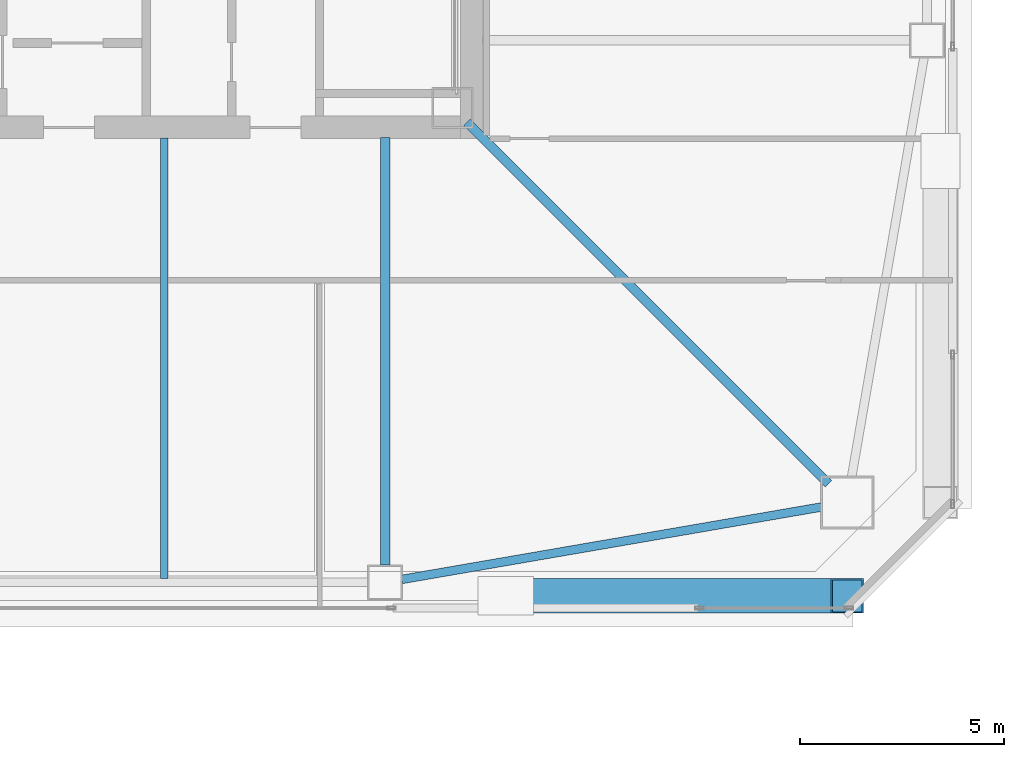
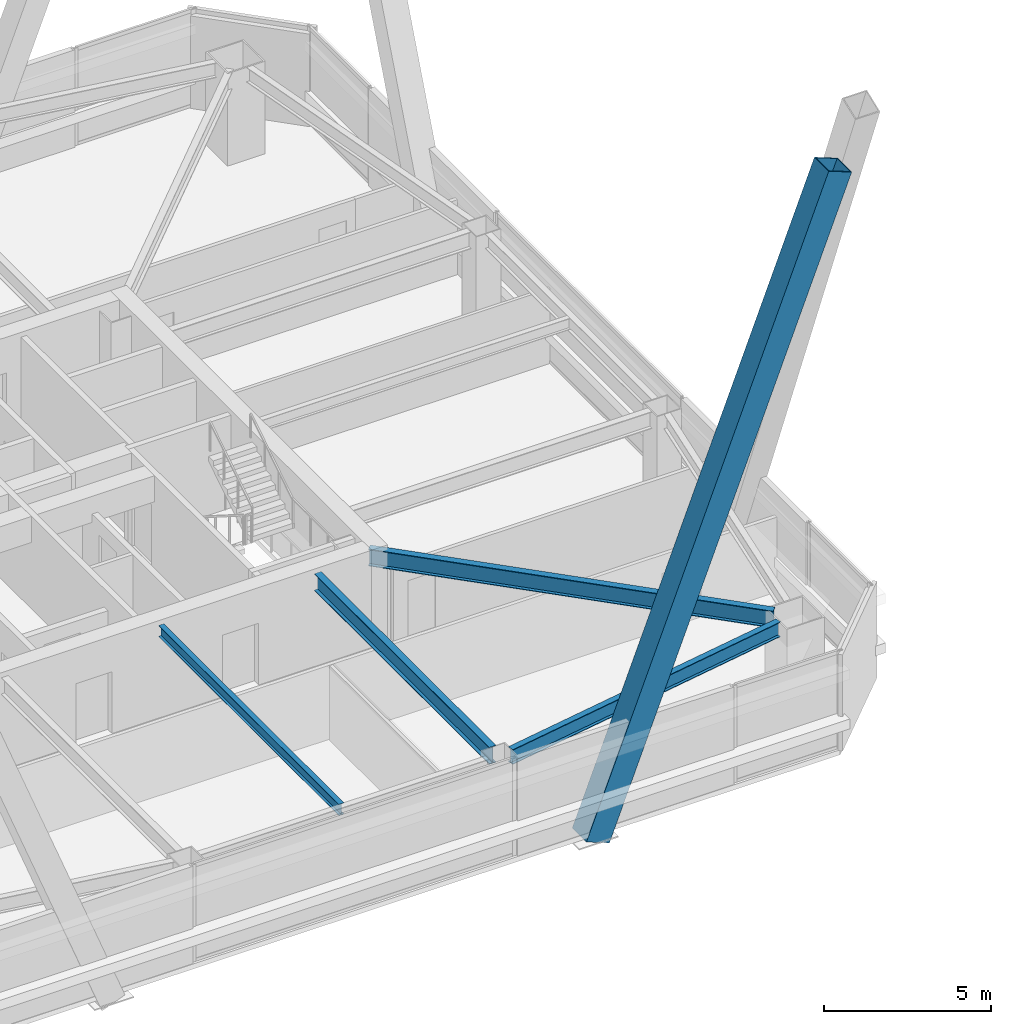
# One storey, part 9 of 54: 4 beams, 1 member.
"""IFC4 building model written with IfcOpenShell, lengths in metres."""

import ifcopenshell
import ifcopenshell.guid

model = None  # the IFC model being written
_history = None  # IfcOwnerHistory: only IFC2X3 demands one
_inside = {}  # id of a spatial element -> (the spatial element, [elements in it])
_under = {}  # id of a project, library or spatial element -> (it, [spatial elements below it])
_declared = {}  # id of a project -> (the project, [libraries it declares])
_typed = {}  # id of a type object -> (the type object, [elements of that type])
_made_of = {}  # id of a material, layer set ... -> (it, [elements and type objects made of it])


def new_model(schema):
    """Start an empty IFC model of exactly this schema.

    Asked for "IFC4X3", IfcOpenShell would pick the latest addendum, in which some entities
    have other attributes; the version numbers below select the first issue.
    IFC2X3 requires an IfcOwnerHistory on every rooted entity: one is made here for all.
    """
    global model, _history
    if schema == "IFC4X3":
        model = ifcopenshell.file(schema_version=(4, 3, 0, 0))
    else:
        model = ifcopenshell.file(schema=schema)
    _inside.clear()
    _under.clear()
    _declared.clear()
    _typed.clear()
    _made_of.clear()
    _history = None
    if model.schema == "IFC2X3":
        org = make("IfcOrganization", Name="unknown")
        user = make(
            "IfcPersonAndOrganization",
            ThePerson=make("IfcPerson", FamilyName="unknown"),
            TheOrganization=org,
        )
        app = make(
            "IfcApplication",
            ApplicationDeveloper=org,
            Version="unknown",
            ApplicationFullName="unknown",
            ApplicationIdentifier="unknown",
        )
        _history = make(
            "IfcOwnerHistory",
            OwningUser=user,
            OwningApplication=app,
            ChangeAction="ADDED",
            CreationDate=0,
        )
    return model


def make(cls, **values):
    """One entity of the class cls with the attributes given. An attribute that is None is left unset."""
    return model.create_entity(
        cls, **{name: value for name, value in values.items() if value is not None}
    )


def rooted(cls, **values):
    """An entity with a GlobalId (a new one), such as an element, a storey or a relation."""
    return make(cls, GlobalId=ifcopenshell.guid.new(), OwnerHistory=_history, **values)


def si_unit(unit_type, name, prefix=None):
    """IfcSIUnit, for example si_unit("LENGTHUNIT", "METRE", prefix="MILLI")."""
    return make("IfcSIUnit", UnitType=unit_type, Prefix=prefix, Name=name)


def assignment(units):
    """IfcUnitAssignment: the units of a project."""
    return None if units is None else make("IfcUnitAssignment", Units=units)


def point(xyz):
    """IfcCartesianPoint."""
    return None if xyz is None else make("IfcCartesianPoint", Coordinates=xyz)


def direction(xyz):
    """IfcDirection."""
    return None if xyz is None else make("IfcDirection", DirectionRatios=xyz)


def frame(location, z_axis=None, x_axis=None):
    """IfcAxis2Placement3D, a coordinate frame: its origin and axes. An axis left out is left unset."""
    return make(
        "IfcAxis2Placement3D",
        Location=point(location),
        Axis=direction(z_axis),
        RefDirection=direction(x_axis),
    )


def frame_2d(location, x_axis=None):
    """IfcAxis2Placement2D, a coordinate frame in the plane: its origin and x axis."""
    return make(
        "IfcAxis2Placement2D", Location=point(location), RefDirection=direction(x_axis)
    )


def origin():
    """The frame at (0, 0, 0) with its axes left unset."""
    return frame((0.0, 0.0, 0.0))


def origin_2d():
    """The frame at (0, 0) in the plane with its x axis left unset."""
    return frame_2d((0.0, 0.0))


def place(relative_to, where):
    """IfcLocalPlacement: puts the frame where relative to a parent placement (None: the world)."""
    return make(
        "IfcLocalPlacement", PlacementRelTo=relative_to, RelativePlacement=where
    )


def context(
    kind, dimensions, precision=None, world=None, true_north=None, identifier=None
):
    """IfcGeometricRepresentationContext, for example the 3D "Model" context."""
    return make(
        "IfcGeometricRepresentationContext",
        ContextIdentifier=identifier,
        ContextType=kind,
        CoordinateSpaceDimension=dimensions,
        Precision=precision,
        WorldCoordinateSystem=world,
        TrueNorth=true_north,
    )


def subcontext(parent, identifier, kind, view, scale=None):
    """IfcGeometricRepresentationSubContext, for example "Body" below "Model"."""
    return make(
        "IfcGeometricRepresentationSubContext",
        ContextIdentifier=identifier,
        ContextType=kind,
        ParentContext=parent,
        TargetScale=scale,
        TargetView=view,
    )


def project(units=None, contexts=None):
    """IfcProject with its units and contexts."""
    return rooted(
        "IfcProject",
        Name="project",
        RepresentationContexts=contexts,
        UnitsInContext=assignment(units),
    )


def spatial(cls, under=None, at=None, **own):
    """A site, building, storey or space (cls), placed at a placement, below another one or the project."""
    s = rooted(cls, ObjectPlacement=at, **own)
    if under is not None:
        _under.setdefault(under.id(), (under, []))[1].append(s)
    return s


def profile(cls, at=None, kind="AREA", **sizes):
    """A parametric profile (cls). Its sizes go by their IFC names, for example OverallWidth=200.0."""
    return make(cls, ProfileType=kind, Position=at, **sizes)


def hollow_rectangle(**sizes):
    """IfcRectangleHollowProfileDef."""
    return profile("IfcRectangleHollowProfileDef", **sizes)


def i_section(**sizes):
    """IfcIShapeProfileDef."""
    return profile("IfcIShapeProfileDef", **sizes)


def extrude(swept, where, along, depth):
    """IfcExtrudedAreaSolid: the profile swept, set in the frame where, extruded along a direction by depth."""
    return make(
        "IfcExtrudedAreaSolid",
        SweptArea=swept,
        Position=where,
        ExtrudedDirection=direction(along),
        Depth=depth,
    )


def shape(context_of_items, identifier, shape_type, items):
    """IfcShapeRepresentation: the items that make up one representation, for example the "Body"."""
    return make(
        "IfcShapeRepresentation",
        ContextOfItems=context_of_items,
        RepresentationIdentifier=identifier,
        RepresentationType=shape_type,
        Items=items,
    )


def material(Name=None, Category=None):
    """IfcMaterial."""
    return make("IfcMaterial", Name=Name, Category=Category)


def material_profile(
    of_material, cross_section, Name=None, Category=None, Priority=None
):
    """IfcMaterialProfile: a cross section and its material."""
    return make(
        "IfcMaterialProfile",
        Name=Name,
        Material=of_material,
        Profile=cross_section,
        Priority=Priority,
        Category=Category,
    )


def profile_set(profiles, Name=None, composite=None):
    """IfcMaterialProfileSet."""
    return make(
        "IfcMaterialProfileSet",
        Name=Name,
        MaterialProfiles=profiles,
        CompositeProfile=composite,
    )


def made_of(thing, what):
    """Note that an element or type object is made of a material, layer set ...; save() writes the relation."""
    if what is not None:
        _made_of.setdefault(what.id(), (what, []))[1].append(thing)
    return thing


def type_object(cls, material=None, **own):
    """A type object (cls), such as IfcWallType, which elements share."""
    return made_of(rooted(cls, **own), material)


def element(
    cls,
    number,
    at=None,
    inside=None,
    cuts=None,
    type_object=None,
    material=None,
    context=None,
    identifier="Body",
    shape_type=None,
    held_by="IfcProductDefinitionShape",
    body=None,
    shapes=None,
    **own,
):
    """One element of the class cls, such as IfcWall. Its Tag is "e" and its number.

    at: its placement. inside: the storey or other place that contains it. cuts: it is an
    opening in that element (IfcRelVoidsElement). A single representation is given by context,
    identifier, shape_type and body (its items); several are given by shapes. held_by: the class
    of the entity that holds the representations. save() writes the other relations.
    """
    e = rooted(cls, Tag="e%d" % number, ObjectPlacement=at, **own)
    if body is not None:
        shapes = [shape(context, identifier, shape_type, body)]
    if shapes is not None:
        e.Representation = make(held_by, Representations=shapes)
    if inside is not None:
        _inside.setdefault(inside.id(), (inside, []))[1].append(e)
    if cuts is not None:
        rooted(
            "IfcRelVoidsElement", RelatingBuildingElement=cuts, RelatedOpeningElement=e
        )
    if type_object is not None:
        _typed.setdefault(type_object.id(), (type_object, []))[1].append(e)
    return made_of(e, material)


def aggregate(whole, parts):
    """IfcRelAggregates: a whole, such as a stair, and the parts it consists of."""
    return rooted("IfcRelAggregates", RelatingObject=whole, RelatedObjects=parts)


def save(model, path):
    """Write the relations noted so far, then the file.

    IfcRelAggregates (storeys below a building ...), IfcRelContainedInSpatialStructure (elements
    in a storey), IfcRelDefinesByType, IfcRelAssociatesMaterial and IfcRelDeclares: one each for
    every whole, place, type object, material and project.
    """
    for whole, parts in _under.values():
        aggregate(whole, parts)
    for where, things in _inside.values():
        rooted(
            "IfcRelContainedInSpatialStructure",
            RelatedElements=things,
            RelatingStructure=where,
        )
    for kind, things in _typed.values():
        rooted("IfcRelDefinesByType", RelatedObjects=things, RelatingType=kind)
    for what, things in _made_of.values():
        rooted("IfcRelAssociatesMaterial", RelatedObjects=things, RelatingMaterial=what)
    for by, libraries in _declared.values():
        rooted("IfcRelDeclares", RelatingContext=by, RelatedDefinitions=libraries)
    model.write(path)


model = new_model("IFC4")

# Units and contexts
model_context = context("Model", 3, precision=1e-05, world=origin(), true_north=direction((0.0, 1.0)))
body_context = subcontext(model_context, "Body", "Model", "MODEL_VIEW")
ifc_project = project(units=[si_unit("LENGTHUNIT", "METRE"), si_unit("AREAUNIT", "SQUARE_METRE"), si_unit("VOLUMEUNIT", "CUBIC_METRE"), si_unit("PLANEANGLEUNIT", "RADIAN"), si_unit("MASSUNIT", "GRAM", prefix="KILO")], contexts=[model_context])

# Site, building, storey
site_placement = place(None, origin())
site = spatial("IfcSite", under=ifc_project, at=site_placement, CompositionType="ELEMENT")
building_placement = place(site_placement, origin())
building = spatial("IfcBuilding", under=site, at=building_placement, Name="Tashvorn Skyway Center", CompositionType="ELEMENT")
storey_placement = place(building_placement, frame((0.0, 0.0, 135.699951171875)))
storey = spatial("IfcBuildingStorey", under=building, at=storey_placement, Name="L36", CompositionType="ELEMENT", Elevation=135.699951171875)

# Beams
ifc_material_1 = material(Name="Steel ASTM A992 Grade 50", Category="steel")
ifc_material_profile_1 = material_profile(ifc_material_1, i_section(OverallWidth=0.22998046875, OverallDepth=0.616943359375, WebThickness=0.01318359375, FlangeThickness=0.022216796875, at=origin_2d()), Name="W24X94")
ifc_profile_set_1 = profile_set([ifc_material_profile_1], Name="Steel ASTM A992 Grade 50")
beam_type_1 = type_object("IfcBeamType", Name="BM-BEAM-W24X94", PredefinedType="BEAM", material=ifc_profile_set_1)
beam_1_placement = place(storey_placement, frame((58.243896484375, 15.756103515625, 3.0615234375), z_axis=(-0.707106781187, 0.707106781187, 0.0), x_axis=(-0.707106781187, -0.707106781187, 0.0)))
element("IfcBeam", 1, at=beam_1_placement, inside=storey, type_object=beam_type_1, Name="Tower 1 L36 Primary Floor Girder MC-SE", PredefinedType="BEAM", context=body_context, shape_type="SweptSolid", body=[
    extrude(i_section(OverallWidth=0.22998046875, OverallDepth=0.616943359375, WebThickness=0.01318359375, FlangeThickness=0.022216796875, at=origin_2d()), origin(), (0.0, 0.0, 1.0), 12.50732421875),
])
beam_2_placement = place(storey_placement, frame((47.39990234375, 13.77001953125, 3.0615234375), z_axis=(0.0, 1.0, 0.0), x_axis=(-1.0, 0.0, 0.0)))
element("IfcBeam", 2, at=beam_2_placement, inside=storey, type_object=beam_type_1, Name="Tower 1 L36 Primary Floor Girder FC-S2", PredefinedType="BEAM", context=body_context, shape_type="SweptSolid", body=[
    extrude(i_section(OverallWidth=0.22998046875, OverallDepth=0.616943359375, WebThickness=0.01318359375, FlangeThickness=0.022216796875, at=origin_2d()), origin(), (0.0, 0.0, 1.0), 10.449951171875),
])
ifc_material_profile_2 = material_profile(ifc_material_1, i_section(OverallWidth=0.177978515625, OverallDepth=0.406005859375, WebThickness=0.0078125, FlangeThickness=0.0126953125, at=origin_2d()), Name="W16X40")
ifc_profile_set_2 = profile_set([ifc_material_profile_2], Name="Steel ASTM A992 Grade 50")
beam_type_2 = type_object("IfcBeamType", Name="BM-JOIST-W16X40", PredefinedType="JOIST", material=ifc_profile_set_2)
beam_3_placement = place(storey_placement, frame((42.0, 24.2099609375, 3.1669921875), z_axis=(0.0, -1.0, 0.0), x_axis=(1.0, 0.0, 0.0)))
element("IfcBeam", 3, at=beam_3_placement, inside=storey, type_object=beam_type_2, Name="Tower 1 L36 Secondary Composite Joist JS", PredefinedType="JOIST", context=body_context, shape_type="SweptSolid", body=[
    extrude(i_section(OverallWidth=0.177978515625, OverallDepth=0.406005859375, WebThickness=0.0078125, FlangeThickness=0.0126953125, at=origin_2d()), origin(), (0.0, 0.0, 1.0), 10.762451171875),
])
ifc_material_profile_3 = material_profile(ifc_material_1, i_section(OverallWidth=0.2109375, OverallDepth=0.5390625, WebThickness=0.01171875, FlangeThickness=0.018798828125, at=origin_2d()), Name="W21X73")
ifc_profile_set_3 = profile_set([ifc_material_profile_3], Name="Steel ASTM A992 Grade 50")
beam_type_3 = type_object("IfcBeamType", Name="BM-SPANDREL-W21X73", PredefinedType="SPANDREL", material=ifc_profile_set_3)
beam_4_placement = place(storey_placement, frame((47.81396484375, 13.42138671875, 3.1005859375), z_axis=(0.985432458462, 0.170067250846, 0.0), x_axis=(-0.170067250846, 0.985432458462, 0.0)))
element("IfcBeam", 4, at=beam_4_placement, inside=storey, type_object=beam_type_3, Name="Tower 1 L36 Spandrel Beam 03", PredefinedType="SPANDREL", context=body_context, shape_type="SweptSolid", body=[
    extrude(i_section(OverallWidth=0.2109375, OverallDepth=0.5390625, WebThickness=0.01171875, FlangeThickness=0.018798828125, at=origin_2d()), origin(), (0.0, 0.0, 1.0), 10.402099609375),
])

# Member
ifc_material_2 = material(Name="Steel ASTM A572 Grade 50", Category="steel")
ifc_material_profile_4 = material_profile(ifc_material_2, hollow_rectangle(XDim=0.85009765625, YDim=0.85009765625, WallThickness=0.034912109375, at=origin_2d()), Name="BOX850x850x35")
ifc_profile_set_4 = profile_set([ifc_material_profile_4], Name="Steel ASTM A572 Grade 50")
member_type = type_object("IfcMemberType", Name="MEM-MB-850", PredefinedType="BRACE", material=ifc_profile_set_4)
member_placement = place(storey_placement, frame((50.35009765625, 13.02001953125, -0.449951171875), z_axis=(0.361729555394, 0.0, 0.932283073296), x_axis=(0.0, 1.0, 0.0)))
element("IfcMember", 5, at=member_placement, inside=storey, type_object=member_type, Name="Tower 1 Zone 3 S Chevron Mega-Brace R2", PredefinedType="BRACE", context=body_context, shape_type="SweptSolid", body=[
    extrude(hollow_rectangle(XDim=0.85009765625, YDim=0.85009765625, WallThickness=0.034912109375, at=origin_2d()), origin(), (0.0, 0.0, 1.0), 23.083251953125),
])

save(model, "model.ifc")
